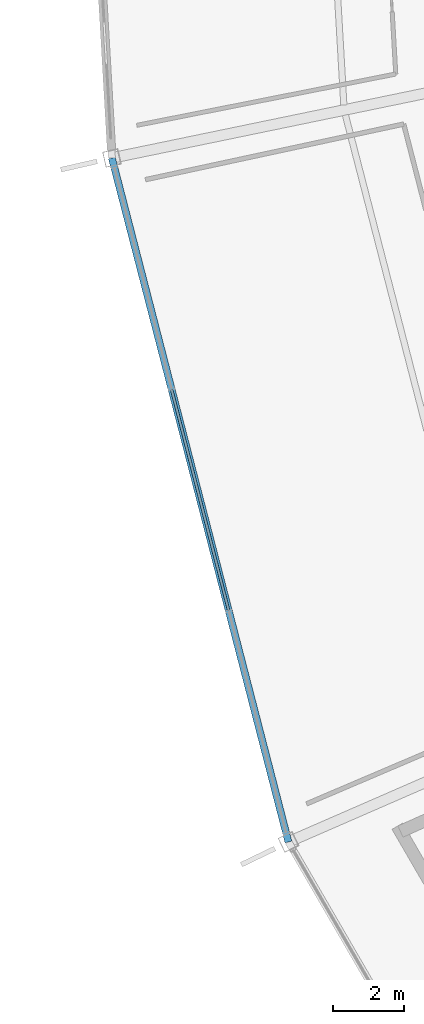
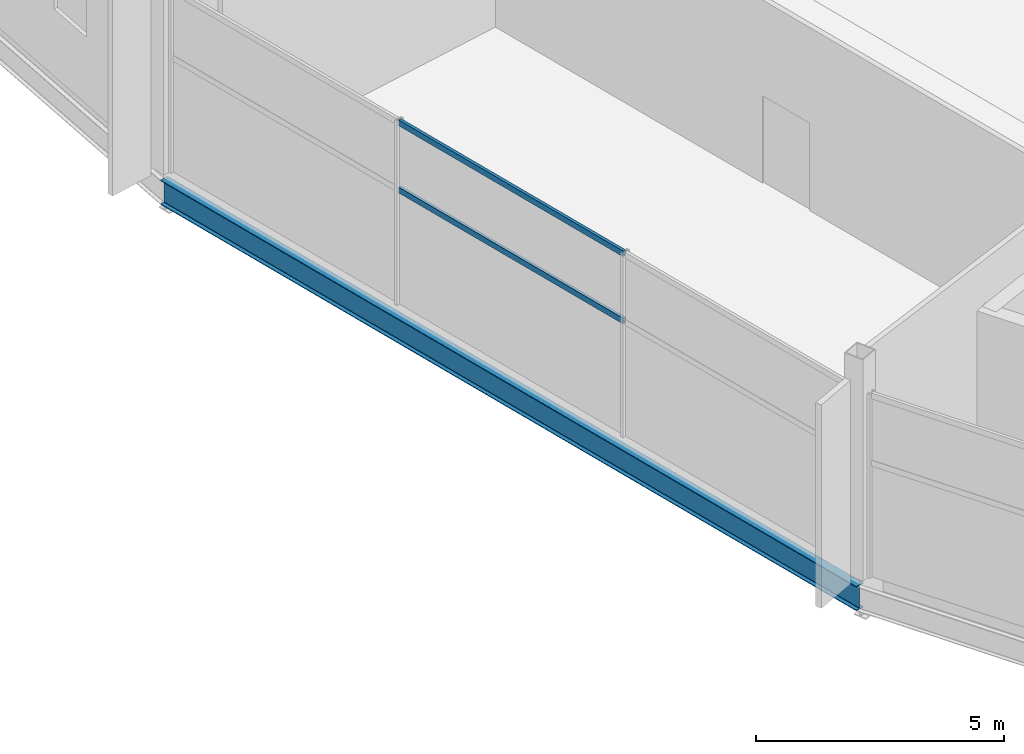
# One storey, part 24 of 186: 2 members, 1 beam, 1 element without a shape of its own.
"""IFC4 building model written with IfcOpenShell, lengths in metres."""

from ifc_helpers import new_model, si_unit, direction, frame, origin, origin_2d, place, context, subcontext, project, spatial, hollow_rectangle, i_section, extrude, material, layer, layer_set, material_profile, profile_set, type_object, element, aggregate, save


model = new_model("IFC4")

# Units and contexts
model_context = context("Model", 3, precision=1e-05, world=origin(), true_north=direction((0.0, 1.0)))
body_context = subcontext(model_context, "Body", "Model", "MODEL_VIEW")
ifc_project = project(units=[si_unit("LENGTHUNIT", "METRE"), si_unit("AREAUNIT", "SQUARE_METRE"), si_unit("VOLUMEUNIT", "CUBIC_METRE"), si_unit("PLANEANGLEUNIT", "RADIAN"), si_unit("MASSUNIT", "GRAM", prefix="KILO")], contexts=[model_context])

# Site, building, storey
site_placement = place(None, origin())
site = spatial("IfcSite", under=ifc_project, at=site_placement, CompositionType="ELEMENT")
building_placement = place(site_placement, origin())
building = spatial("IfcBuilding", under=site, at=building_placement, Name="Kazemori Nagisa Stadium", CompositionType="ELEMENT")
storey_placement = place(building_placement, frame((0.0, 0.0, 20.39990234375)))
storey = spatial("IfcBuildingStorey", under=building, at=storey_placement, Name="L04", CompositionType="ELEMENT", Elevation=20.39990234375)

# Beam
ifc_material_1 = material(Name="Steel SN490B", Category="steel")
ifc_material_profile_1 = material_profile(ifc_material_1, i_section(OverallWidth=0.199951171875, OverallDepth=0.60009765625, WebThickness=0.010986328125, FlangeThickness=0.01708984375, FilletRadius=0.012939453125, at=origin_2d()), Name="H-600x200x11x17")
ifc_profile_set_1 = profile_set([ifc_material_profile_1], Name="Steel SN490B")
beam_type = type_object("IfcBeamType", Name="Beam_BS-H600", PredefinedType="SPANDREL", material=ifc_profile_set_1)
beam_placement = place(storey_placement, frame((29.119140625, 82.602294921875, -0.599853515625), z_axis=(0.249964097999, -0.968255105699, 0.0), x_axis=(0.968255105699, 0.249964097999, 0.0)))
element("IfcBeam", 1, at=beam_placement, inside=storey, type_object=beam_type, Name="Ring girder BS-H600 L04 R3-16", PredefinedType="SPANDREL", context=body_context, shape_type="SweptSolid", body=[
    extrude(i_section(OverallWidth=0.199951171875, OverallDepth=0.60009765625, WebThickness=0.010986328125, FlangeThickness=0.01708984375, FilletRadius=0.012939453125, at=origin_2d()), origin(), (0.0, 0.0, 1.0), 19.986328125),
])

# Curtain wall, members
ifc_material_2 = material(Name="Anodised aluminium 6063-T5", Category="aluminium")
ifc_layer = layer(ifc_material_2, 0.179931640625, Name="Anodised aluminium 6063-T5", Category="aluminium")
ifc_layer_set = layer_set([ifc_layer], Name="Anodised aluminium 6063-T5")
curtain_wall_type = type_object("IfcCurtainWallType", Name="CW_L04R3_98", PredefinedType="USERDEFINED", material=ifc_layer_set)
curtain_wall_placement = place(storey_placement, origin())
curtain_wall = element("IfcCurtainWall", 2, at=curtain_wall_placement, inside=storey, type_object=curtain_wall_type, Name="Unitised curtain wall CW-L04R3-98 L04", ObjectType="UNITISED CURTAIN WALL", PredefinedType="USERDEFINED")
ifc_material_3 = material(Name="Aluminium 6063-T5 anodised", Category="aluminium")
ifc_material_profile_2 = material_profile(ifc_material_3, hollow_rectangle(XDim=0.070068359375, YDim=0.139892578125, WallThickness=0.00390625, at=origin_2d()), Name="ALU-TRAN-70x140x4")
ifc_profile_set_2 = profile_set([ifc_material_profile_2], Name="Aluminium 6063-T5 anodised")
member_type = type_object("IfcMemberType", Name="Transom_T01", PredefinedType="USERDEFINED", material=ifc_profile_set_2)
member_1_placement = place(storey_placement, frame((30.810791015625, 76.050048828125, 2.80859375), z_axis=(0.249962703007, -0.968255465828, 0.0), x_axis=(0.968255465828, 0.249962703007, 0.0)))
member_1 = element("IfcMember", 3, at=member_1_placement, type_object=member_type, Name="Curtain wall transom CW-L04R3-98-T2-mid", ObjectType="TRANSOM", PredefinedType="USERDEFINED", context=body_context, shape_type="SweptSolid", body=[
    extrude(hollow_rectangle(XDim=0.070068359375, YDim=0.139892578125, WallThickness=0.00390625, at=origin_2d()), origin(), (0.0, 0.0, 1.0), 6.4521484375),
])
member_2_placement = place(storey_placement, frame((30.810791015625, 76.050048828125, 4.460205078125), z_axis=(0.249962703007, -0.968255465828, 0.0), x_axis=(0.968255465828, 0.249962703007, 0.0)))
member_2 = element("IfcMember", 4, at=member_2_placement, type_object=member_type, Name="Curtain wall transom CW-L04R3-98-T2-head", ObjectType="TRANSOM", PredefinedType="USERDEFINED", context=body_context, shape_type="SweptSolid", body=[
    extrude(hollow_rectangle(XDim=0.070068359375, YDim=0.139892578125, WallThickness=0.00390625, at=origin_2d()), origin(), (0.0, 0.0, 1.0), 6.4521484375),
])
aggregate(curtain_wall, [member_1, member_2])

save(model, "model.ifc")
